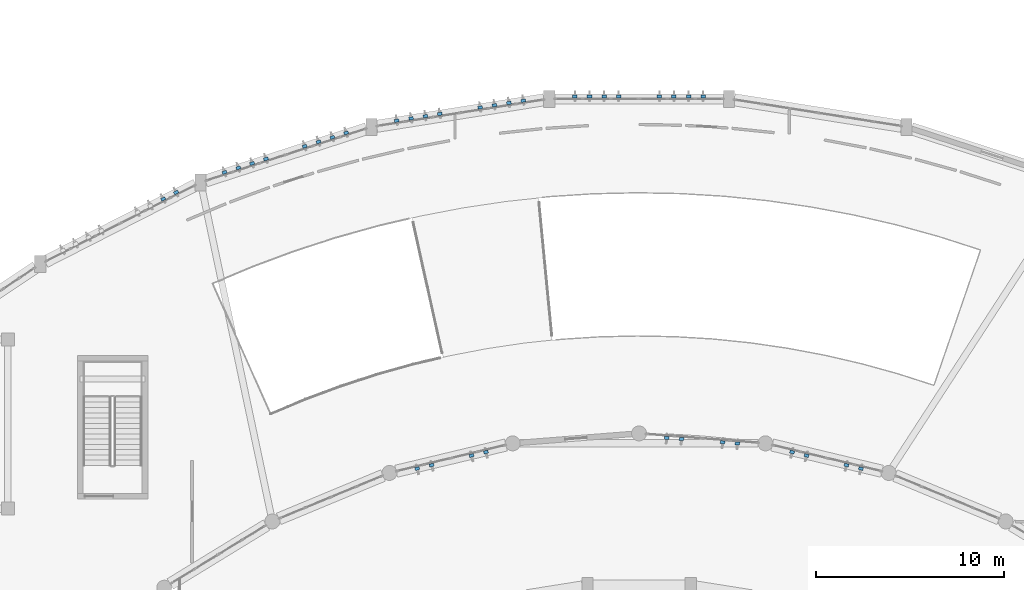
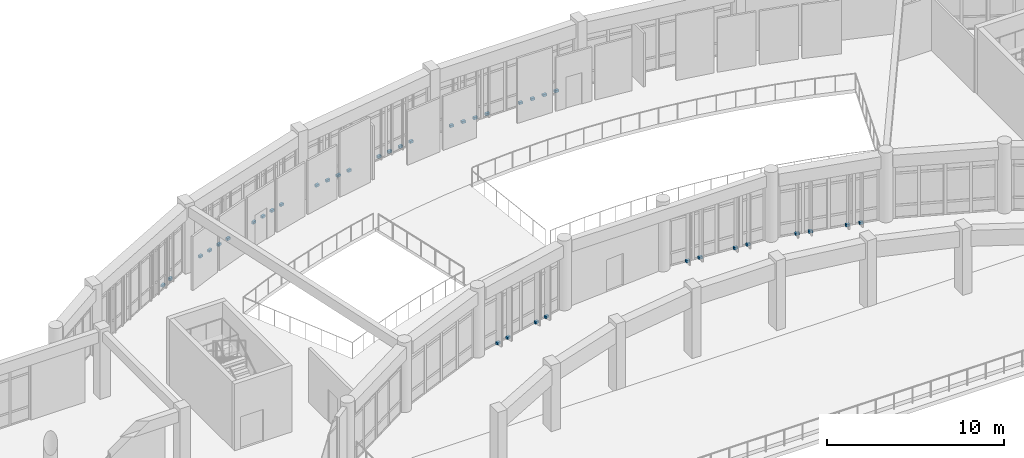
# One storey, part 57 of 65: 38 discrete accessories.
"""IFC4 building model written with IfcOpenShell, lengths in metres."""

from ifc_helpers import new_model, si_unit, direction, frame, origin, origin_2d, place, context, subcontext, project, spatial, rectangle, extrude, material, type_object, element, save


model = new_model("IFC4")

# Units and contexts
model_context = context("Model", 3, precision=1e-05, world=origin(), true_north=direction((0.0, 1.0)))
body_context = subcontext(model_context, "Body", "Model", "MODEL_VIEW")
ifc_project = project(units=[si_unit("LENGTHUNIT", "METRE"), si_unit("AREAUNIT", "SQUARE_METRE"), si_unit("VOLUMEUNIT", "CUBIC_METRE"), si_unit("PLANEANGLEUNIT", "RADIAN"), si_unit("MASSUNIT", "GRAM", prefix="KILO")], contexts=[model_context])

# Site, building, storey
site_placement = place(None, origin())
site = spatial("IfcSite", under=ifc_project, at=site_placement, CompositionType="ELEMENT")
building_placement = place(site_placement, origin())
building = spatial("IfcBuilding", under=site, at=building_placement, Name="Miralva Faculty of Natural Sciences", CompositionType="ELEMENT")
storey_placement = place(building_placement, frame((0.0, 0.0, 10.199951171875)))
storey = spatial("IfcBuildingStorey", under=building, at=storey_placement, Name="L02", CompositionType="ELEMENT", Elevation=10.199951171875)

# Discrete accessories
ifc_material = material(Name="Steel S355", Category="steel")
discrete_accessory_type = type_object("IfcDiscreteAccessoryType", Name="ACC-BRK01", PredefinedType="BRACKET", material=ifc_material)
for number, where, z_axis, x_axis, name in (
    (1, (78.188720703125, 20.12646484375, 0.0400390625), (0.0, 0.0, 1.0), (0.233445363856, -0.972369920398, 0.0), "Solar fin bracket L02-25"),
    (2, (78.956298828125, 20.310791015625, 0.0400390625), (0.0, 0.0, 1.0), (0.233445363856, -0.972369920398, 0.0), "Solar fin bracket L02-26"),
    (3, (81.08154296875, 20.821044921875, 0.0400390625), (0.0, 0.0, 1.0), (0.233445363856, -0.972369920398, 0.0), "Solar fin bracket L02-27"),
    (4, (81.8515625, 21.005859375, 0.0400390625), (0.0, 0.0, 1.0), (0.233445363856, -0.972369920398, 0.0), "Solar fin bracket L02-28"),
    (5, (91.46826171875, 21.76416015625, 0.0400390625), (0.0, 0.0, 1.0), (-0.078459095728, -0.996917333733, 0.0), "Solar fin bracket L02-29"),
    (6, (92.260009765625, 21.701904296875, 0.0400390625), (0.0, 0.0, 1.0), (-0.078459095728, -0.996917333733, 0.0), "Solar fin bracket L02-30"),
    (7, (94.444091796875, 21.52978515625, 0.0400390625), (0.0, 0.0, 1.0), (-0.078459095728, -0.996917333733, 0.0), "Solar fin bracket L02-31"),
    (8, (95.23828125, 21.46728515625, 0.0400390625), (0.0, 0.0, 1.0), (-0.078459095728, -0.996917333733, 0.0), "Solar fin bracket L02-32"),
    (9, (98.147216796875, 21.006103515625, 0.0400390625), (0.0, 0.0, 1.0), (-0.233445363856, -0.972369920398, 0.0), "Solar fin bracket L02-33"),
    (10, (98.914794921875, 20.822021484375, 0.0400390625), (0.0, 0.0, 1.0), (-0.233445363856, -0.972369920398, 0.0), "Solar fin bracket L02-34"),
    (11, (101.039794921875, 20.311767578125, 0.0400390625), (0.0, 0.0, 1.0), (-0.233445363856, -0.972369920398, 0.0), "Solar fin bracket L02-35"),
    (12, (101.809814453125, 20.126708984375, 0.0400390625), (0.0, 0.0, 1.0), (-0.233445363856, -0.972369920398, 0.0), "Solar fin bracket L02-36"),
    (13, (64.669677734375, 34.47900390625, 0.0400390625), (0.0, 0.0, 1.0), (-0.45399049974, 0.891006524188, 0.0), "Solar fin bracket L02-43"),
    (14, (65.354736328125, 34.828125, 0.0400390625), (0.0, 0.0, 1.0), (-0.45399049974, 0.891006524188, 0.0), "Solar fin bracket L02-44"),
    (15, (67.932861328125, 35.897705078125, 0.0400390625), (0.0, 0.0, 1.0), (-0.309016994375, 0.951056516295, 0.0), "Solar fin bracket L02-45"),
    (16, (68.66796875, 36.136474609375, 0.0400390625), (0.0, 0.0, 1.0), (-0.309016994375, 0.951056516295, 0.0), "Solar fin bracket L02-46"),
    (17, (69.40283203125, 36.375244140625, 0.0400390625), (0.0, 0.0, 1.0), (-0.309016994375, 0.951056516295, 0.0), "Solar fin bracket L02-47"),
    (18, (70.1376953125, 36.614013671875, 0.0400390625), (0.0, 0.0, 1.0), (-0.309016994375, 0.951056516295, 0.0), "Solar fin bracket L02-48"),
    (19, (72.199951171875, 37.2841796875, 0.0400390625), (0.0, 0.0, 1.0), (-0.309016994375, 0.951056516295, 0.0), "Solar fin bracket L02-49"),
    (20, (72.936279296875, 37.523193359375, 0.0400390625), (0.0, 0.0, 1.0), (-0.309016994375, 0.951056516295, 0.0), "Solar fin bracket L02-50"),
    (21, (73.67236328125, 37.762451171875, 0.0400390625), (0.0, 0.0, 1.0), (-0.309016994375, 0.951056516295, 0.0), "Solar fin bracket L02-51"),
    (22, (74.408447265625, 38.001708984375, 0.0400390625), (0.0, 0.0, 1.0), (-0.309016994375, 0.951056516295, 0.0), "Solar fin bracket L02-52"),
    (23, (77.0966796875, 38.64794921875, 0.0400390625), (0.0, 0.0, 1.0), (-0.15643446504, 0.987688340595, 0.0), "Solar fin bracket L02-53"),
    (24, (77.862548828125, 38.76904296875, 0.0400390625), (0.0, 0.0, 1.0), (-0.15643446504, 0.987688340595, 0.0), "Solar fin bracket L02-54"),
    (25, (78.628173828125, 38.890380859375, 0.0400390625), (0.0, 0.0, 1.0), (-0.15643446504, 0.987688340595, 0.0), "Solar fin bracket L02-55"),
    (26, (79.393798828125, 39.01171875, 0.0400390625), (0.0, 0.0, 1.0), (-0.15643446504, 0.987688340595, 0.0), "Solar fin bracket L02-56"),
    (27, (81.5380859375, 39.351318359375, 0.0400390625), (0.0, 0.0, 1.0), (-0.15643446504, 0.987688340595, 0.0), "Solar fin bracket L02-57"),
    (28, (82.304931640625, 39.47265625, 0.0400390625), (0.0, 0.0, 1.0), (-0.15643446504, 0.987688340595, 0.0), "Solar fin bracket L02-58"),
    (29, (83.072021484375, 39.593994140625, 0.0400390625), (0.0, 0.0, 1.0), (-0.15643446504, 0.987688340595, 0.0), "Solar fin bracket L02-59"),
    (30, (83.8388671875, 39.715576171875, 0.0400390625), (0.0, 0.0, 1.0), (-0.15643446504, 0.987688340595, 0.0), "Solar fin bracket L02-60"),
    (31, (86.586669921875, 39.931884765625, 0.0400390625), (0.0, 0.0, 1.0), (0.0, 1.0, 0.0), "Solar fin bracket L02-61"),
    (32, (87.36181640625, 39.931884765625, 0.0400390625), (0.0, 0.0, 1.0), (0.0, 1.0, 0.0), "Solar fin bracket L02-62"),
    (33, (88.13720703125, 39.931884765625, 0.0400390625), (0.0, 0.0, 1.0), (0.0, 1.0, 0.0), "Solar fin bracket L02-63"),
    (34, (88.912353515625, 39.931884765625, 0.0400390625), (0.0, 0.0, 1.0), (0.0, 1.0, 0.0), "Solar fin bracket L02-64"),
    (35, (91.083251953125, 39.931884765625, 0.0400390625), (0.0, 0.0, 1.0), (0.0, 1.0, 0.0), "Solar fin bracket L02-65"),
    (36, (91.85986328125, 39.931884765625, 0.0400390625), (0.0, 0.0, 1.0), (0.0, 1.0, 0.0), "Solar fin bracket L02-66"),
    (37, (92.63623046875, 39.931884765625, 0.0400390625), (0.0, 0.0, 1.0), (0.0, 1.0, 0.0), "Solar fin bracket L02-67"),
    (38, (93.412841796875, 39.931884765625, 0.0400390625), (0.0, 0.0, 1.0), (0.0, 1.0, 0.0), "Solar fin bracket L02-68"),
):
    element("IfcDiscreteAccessory", number, at=place(storey_placement, frame(where, z_axis=z_axis, x_axis=x_axis)), inside=storey, type_object=discrete_accessory_type, Name=name, PredefinedType="BRACKET", context=body_context, shape_type="SweptSolid", body=[
        extrude(rectangle(XDim=0.159912109375, YDim=0.239990234375, at=origin_2d()), origin(), (0.0, 0.0, 1.0), 0.159912109375),
    ])

save(model, "model.ifc")
